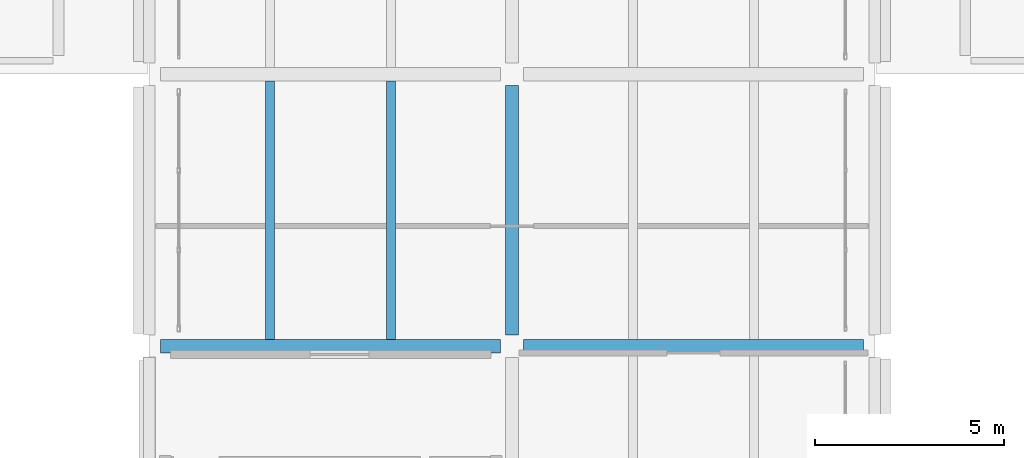
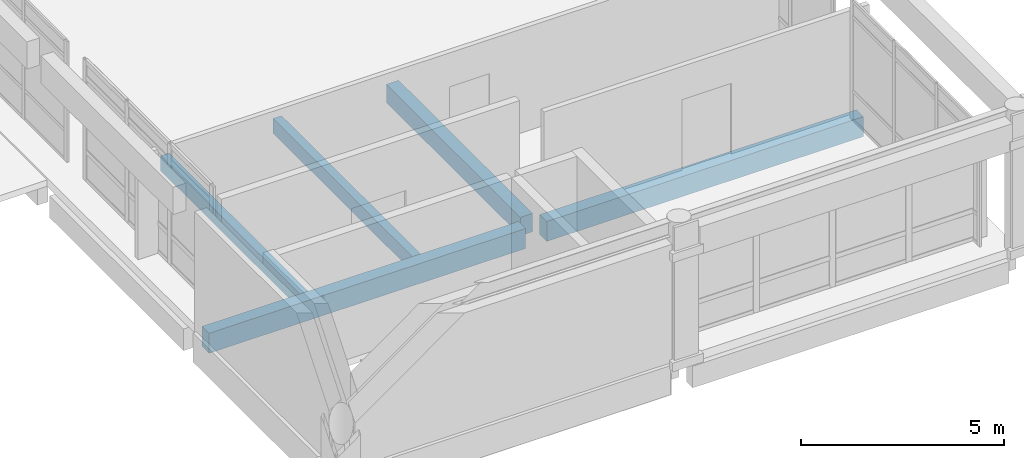
# One storey, part 62 of 180: 5 beams.
"""IFC4 building model written with IfcOpenShell, lengths in metres."""

from ifc_helpers import new_model, si_unit, direction, frame, origin, origin_2d, place, context, subcontext, project, spatial, rectangle, extrude, material, material_profile, profile_set, type_object, element, save


model = new_model("IFC4")

# Units and contexts
model_context = context("Model", 3, precision=1e-05, world=origin(), true_north=direction((0.0, 1.0)))
body_context = subcontext(model_context, "Body", "Model", "MODEL_VIEW")
ifc_project = project(units=[si_unit("LENGTHUNIT", "METRE"), si_unit("AREAUNIT", "SQUARE_METRE"), si_unit("VOLUMEUNIT", "CUBIC_METRE"), si_unit("PLANEANGLEUNIT", "RADIAN"), si_unit("MASSUNIT", "GRAM", prefix="KILO")], contexts=[model_context])

# Site, building, storey
site_placement = place(None, origin())
site = spatial("IfcSite", under=ifc_project, at=site_placement, CompositionType="ELEMENT")
building_placement = place(site_placement, origin())
building = spatial("IfcBuilding", under=site, at=building_placement, Name="Asteropetra Specialist Clinic", CompositionType="ELEMENT")
storey_placement = place(building_placement, frame((0.0, 0.0, 4.419921875)))
storey = spatial("IfcBuildingStorey", under=building, at=storey_placement, Name="L01", CompositionType="ELEMENT", Elevation=4.419921875)

# Beams
ifc_material_1 = material(Name="Concrete C35/45", Category="concrete")
ifc_material_profile_1 = material_profile(ifc_material_1, rectangle(XDim=0.35009765625, YDim=0.550048828125, at=origin_2d()), Name="RCB 350x550")
ifc_profile_set_1 = profile_set([ifc_material_profile_1], Name="Concrete C35/45")
beam_type_1 = type_object("IfcBeamType", Name="BM-RC350x550", PredefinedType="BEAM", material=ifc_profile_set_1)
beam_placement = place(storey_placement, frame((86.39990234375, 41.10009765625, -0.534912109375), z_axis=(0.0, 1.0, 0.0), x_axis=(-1.0, 0.0, 0.0)))
element("IfcBeam", 1, at=beam_placement, inside=storey, type_object=beam_type_1, Name="Beam BBM10-0780", PredefinedType="BEAM", context=body_context, shape_type="SweptSolid", body=[
    extrude(rectangle(XDim=0.35009765625, YDim=0.550048828125, at=origin_2d()), origin(), (0.0, 0.0, 1.0), 6.599853515625),
])
ifc_material_2 = material(Name="Concrete C35/45", Category="concrete")
ifc_material_profile_2 = material_profile(ifc_material_2, rectangle(XDim=0.35009765625, YDim=0.60009765625, at=origin_2d()), Name="RCB 350x600")
ifc_profile_set_2 = profile_set([ifc_material_profile_2], Name="Concrete C35/45")
beam_type_2 = type_object("IfcBeamType", Name="BM-RC350x600", PredefinedType="BEAM", material=ifc_profile_set_2)
for number, where, z_axis, x_axis, name in (
    (2, (77.10009765625, 40.800048828125, -0.559814453125), (1.0, 0.0, 0.0), (0.0, 1.0, 0.0), "Beam BBM09-0766"),
    (3, (86.699951171875, 40.800048828125, -0.559814453125), (1.0, 0.0, 0.0), (0.0, 1.0, 0.0), "Beam BBM09-0767"),
):
    element("IfcBeam", number, at=place(storey_placement, frame(where, z_axis=z_axis, x_axis=x_axis)), inside=storey, type_object=beam_type_2, Name=name, PredefinedType="BEAM", context=body_context, shape_type="SweptSolid", body=[
        extrude(rectangle(XDim=0.35009765625, YDim=0.60009765625, at=origin_2d()), origin(), (0.0, 0.0, 1.0), 9.0),
    ])
ifc_material_3 = material(Name="Concrete C35/45", Category="concrete")
ifc_material_profile_3 = material_profile(ifc_material_3, rectangle(XDim=0.239990234375, YDim=0.449951171875, at=origin_2d()), Name="RCJ 240x450")
ifc_profile_set_3 = profile_set([ifc_material_profile_3], Name="Concrete C35/45")
beam_type_3 = type_object("IfcBeamType", Name="JST-RC240x450", PredefinedType="JOIST", material=ifc_profile_set_3)
for number, where, z_axis, x_axis, name in (
    (4, (80.0, 40.97509765625, -0.48486328125), (0.0, 1.0, 0.0), (-1.0, 0.0, 0.0), "Joist JJST03-0782"),
    (5, (83.199951171875, 40.97509765625, -0.48486328125), (0.0, 1.0, 0.0), (-1.0, 0.0, 0.0), "Joist JJST03-0783"),
):
    element("IfcBeam", number, at=place(storey_placement, frame(where, z_axis=z_axis, x_axis=x_axis)), inside=storey, type_object=beam_type_3, Name=name, PredefinedType="JOIST", context=body_context, shape_type="SweptSolid", body=[
        extrude(rectangle(XDim=0.239990234375, YDim=0.449951171875, at=origin_2d()), origin(), (0.0, 0.0, 1.0), 6.849853515625),
    ])

save(model, "model.ifc")
